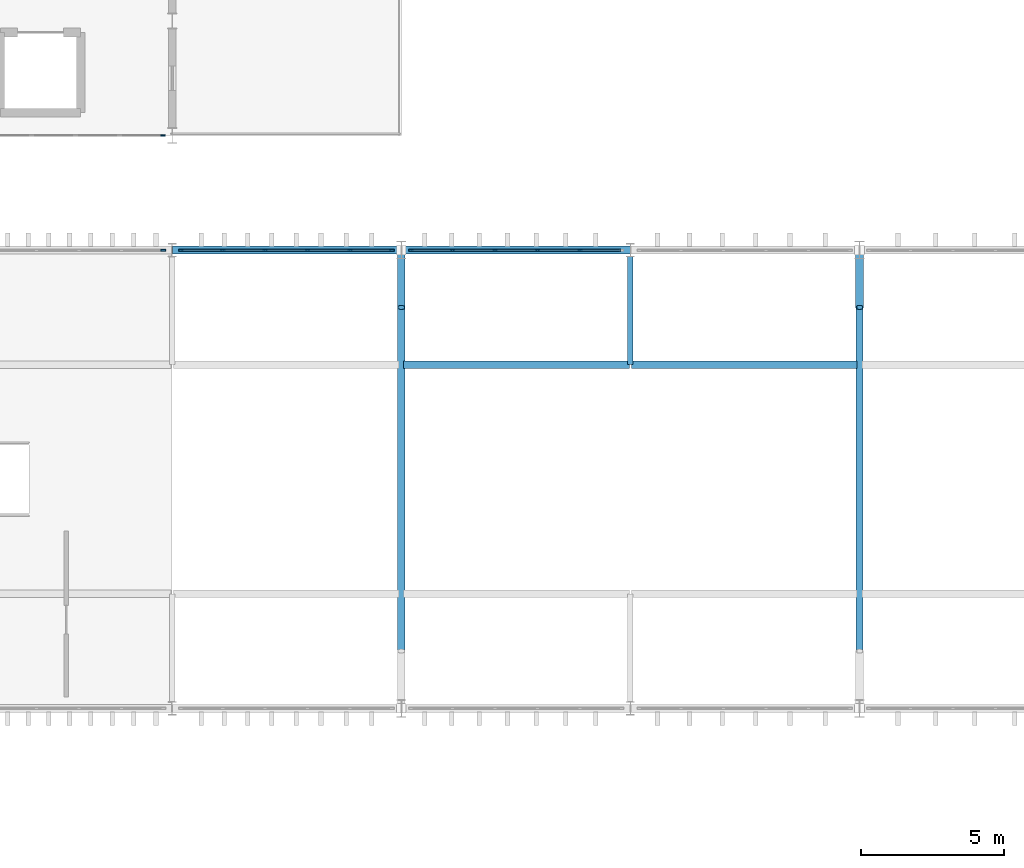
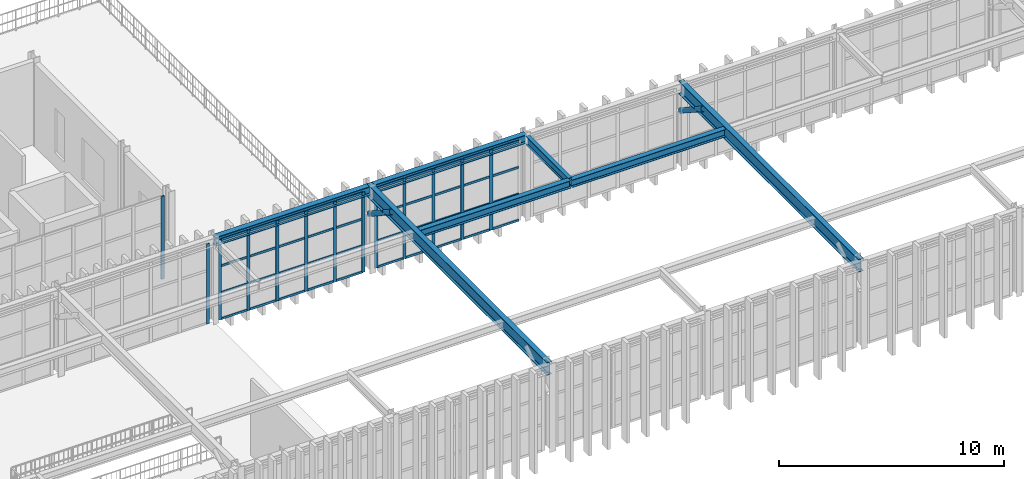
# One storey, part 28 of 61: 55 members, 7 beams, 4 elements without a shape of their own.
"""IFC4 building model written with IfcOpenShell, lengths in metres."""

from ifc_helpers import new_model, si_unit, direction, frame, origin, origin_2d, place, context, subcontext, project, spatial, rectangle, hollow_circle, i_section, extrude, material, material_profile, profile_set, type_object, element, aggregate, save


model = new_model("IFC4")

# Units and contexts
model_context = context("Model", 3, precision=1e-05, world=origin(), true_north=direction((0.0, 1.0)))
body_context = subcontext(model_context, "Body", "Model", "MODEL_VIEW")
ifc_project = project(units=[si_unit("LENGTHUNIT", "METRE"), si_unit("AREAUNIT", "SQUARE_METRE"), si_unit("VOLUMEUNIT", "CUBIC_METRE"), si_unit("PLANEANGLEUNIT", "RADIAN"), si_unit("MASSUNIT", "GRAM", prefix="KILO")], contexts=[model_context])

# Site, building, storey
site_placement = place(None, origin())
site = spatial("IfcSite", under=ifc_project, at=site_placement, CompositionType="ELEMENT")
building_placement = place(site_placement, origin())
building = spatial("IfcBuilding", under=site, at=building_placement, Name="Serraluz Foothill Cableway Terminal", CompositionType="ELEMENT")
storey_placement = place(building_placement, frame((0.0, 0.0, 15.0)))
storey = spatial("IfcBuildingStorey", under=building, at=storey_placement, Name="L03", CompositionType="ELEMENT", Elevation=15.0)

# Beams
ifc_material_1 = material(Name="Steel ASTM A992 Grade 50", Category="steel")
ifc_material_profile_1 = material_profile(ifc_material_1, i_section(OverallWidth=0.256103515625, OverallDepth=0.693115234375, WebThickness=0.014404296875, FlangeThickness=0.023681640625, FilletRadius=0.02001953125, at=origin_2d()), Name="W27X114")
ifc_profile_set_1 = profile_set([ifc_material_profile_1], Name="Steel ASTM A992 Grade 50")
beam_type_1 = type_object("IfcBeamType", Name="TYP-BM-W27X114", PredefinedType="BEAM", material=ifc_profile_set_1)
for number, where, z_axis, x_axis, name in (
    (1, (104.0, 56.0, 4.35009765625), (0.0, 1.0, 0.0), (-1.0, 0.0, 0.0), "ROOF TRUSS TR-05 Tie Girder"),
    (2, (120.0, 56.0, 4.35009765625), (0.0, 1.0, 0.0), (-1.0, 0.0, 0.0), "ROOF TRUSS TR-06 Tie Girder"),
):
    element("IfcBeam", number, at=place(storey_placement, frame(where, z_axis=z_axis, x_axis=x_axis)), inside=storey, type_object=beam_type_1, Name=name, PredefinedType="BEAM", context=body_context, shape_type="SweptSolid", body=[
        extrude(i_section(OverallWidth=0.256103515625, OverallDepth=0.693115234375, WebThickness=0.014404296875, FlangeThickness=0.023681640625, FilletRadius=0.02001953125, at=origin_2d()), origin(), (0.0, 0.0, 1.0), 16.0),
    ])

# Curtain wall, member
ifc_material_2 = material(Name="Architectural bronze alloy C28000", Category="aluminium")
curtain_wall_type_1 = type_object("IfcCurtainWallType", Name="TYP-CW-360X380", PredefinedType="NOTDEFINED", material=ifc_material_2)
curtain_wall_1_placement = place(storey_placement, origin())
curtain_wall_1 = element("IfcCurtainWall", 3, at=curtain_wall_1_placement, inside=storey, type_object=curtain_wall_type_1, Name="Ribbed Glazed Curtain Wall CW-V1N-L03-88", PredefinedType="NOTDEFINED")
ifc_material_profile_2 = material_profile(ifc_material_2, rectangle(XDim=0.06005859375, YDim=0.159912109375, at=origin_2d()), Name="ALU MULLION 60x160")
ifc_profile_set_2 = profile_set([ifc_material_profile_2], Name="Architectural bronze alloy C28000")
member_type_1 = type_object("IfcMemberType", Name="TYP-CW-MUL-60X160", PredefinedType="MULLION", material=ifc_profile_set_2)
member_1_placement = place(storey_placement, frame((95.6884765625, 72.0, 0.0), z_axis=(0.0, 0.0, 1.0), x_axis=(0.0, 1.0, 0.0)))
member_1 = element("IfcMember", 4, at=member_1_placement, type_object=member_type_1, Name="CW-18 mullion 6", PredefinedType="MULLION", context=body_context, shape_type="SweptSolid", body=[
    extrude(rectangle(XDim=0.06005859375, YDim=0.159912109375, at=origin_2d()), origin(), (0.0, 0.0, 1.0), 4.35009765625),
])
aggregate(curtain_wall_1, [member_1])

# Curtain wall, members
curtain_wall_type_2 = type_object("IfcCurtainWallType", Name="TYP-CW-880X420", PredefinedType="NOTDEFINED", material=ifc_material_2)
curtain_wall_2_placement = place(storey_placement, origin())
curtain_wall_2 = element("IfcCurtainWall", 5, at=curtain_wall_2_placement, inside=storey, type_object=curtain_wall_type_2, Name="Ribbed Glazed Curtain Wall CW-V1N-L03-96", PredefinedType="NOTDEFINED")
member_2_placement = place(storey_placement, frame((96.3115234375, 72.0, 0.0), z_axis=(0.0, 0.0, 1.0), x_axis=(0.0, 1.0, 0.0)))
member_2 = element("IfcMember", 6, at=member_2_placement, type_object=member_type_1, Name="CW-19 mullion 1", PredefinedType="MULLION", context=body_context, shape_type="SweptSolid", body=[
    extrude(rectangle(XDim=0.06005859375, YDim=0.159912109375, at=origin_2d()), origin(), (0.0, 0.0, 1.0), 4.35009765625),
])
member_3_placement = place(storey_placement, frame((97.7646484375, 72.0, 0.0), z_axis=(0.0, 0.0, 1.0), x_axis=(0.0, 1.0, 0.0)))
member_3 = element("IfcMember", 7, at=member_3_placement, type_object=member_type_1, Name="CW-19 mullion 2", PredefinedType="MULLION", context=body_context, shape_type="SweptSolid", body=[
    extrude(rectangle(XDim=0.06005859375, YDim=0.159912109375, at=origin_2d()), origin(), (0.0, 0.0, 1.0), 4.35009765625),
])
member_4_placement = place(storey_placement, frame((99.247802734375, 72.0, 0.0), z_axis=(0.0, 0.0, 1.0), x_axis=(0.0, 1.0, 0.0)))
member_4 = element("IfcMember", 8, at=member_4_placement, type_object=member_type_1, Name="CW-19 mullion 3", PredefinedType="MULLION", context=body_context, shape_type="SweptSolid", body=[
    extrude(rectangle(XDim=0.06005859375, YDim=0.159912109375, at=origin_2d()), origin(), (0.0, 0.0, 1.0), 4.35009765625),
])
member_5_placement = place(storey_placement, frame((100.731201171875, 72.0, 0.0), z_axis=(0.0, 0.0, 1.0), x_axis=(0.0, 1.0, 0.0)))
member_5 = element("IfcMember", 9, at=member_5_placement, type_object=member_type_1, Name="CW-19 mullion 4", PredefinedType="MULLION", context=body_context, shape_type="SweptSolid", body=[
    extrude(rectangle(XDim=0.06005859375, YDim=0.159912109375, at=origin_2d()), origin(), (0.0, 0.0, 1.0), 4.35009765625),
])
member_6_placement = place(storey_placement, frame((102.21435546875, 72.0, 0.0), z_axis=(0.0, 0.0, 1.0), x_axis=(0.0, 1.0, 0.0)))
member_6 = element("IfcMember", 10, at=member_6_placement, type_object=member_type_1, Name="CW-19 mullion 5", PredefinedType="MULLION", context=body_context, shape_type="SweptSolid", body=[
    extrude(rectangle(XDim=0.06005859375, YDim=0.159912109375, at=origin_2d()), origin(), (0.0, 0.0, 1.0), 4.35009765625),
])
member_7_placement = place(storey_placement, frame((103.66748046875, 72.0, 0.0), z_axis=(0.0, 0.0, 1.0), x_axis=(0.0, 1.0, 0.0)))
member_7 = element("IfcMember", 11, at=member_7_placement, type_object=member_type_1, Name="CW-19 mullion 6", PredefinedType="MULLION", context=body_context, shape_type="SweptSolid", body=[
    extrude(rectangle(XDim=0.06005859375, YDim=0.159912109375, at=origin_2d()), origin(), (0.0, 0.0, 1.0), 4.35009765625),
])

curtain_wall_type_3 = type_object("IfcCurtainWallType", Name="TYP-CW-920X440", PredefinedType="NOTDEFINED", material=ifc_material_2)
curtain_wall_3_placement = place(storey_placement, origin())
curtain_wall_3 = element("IfcCurtainWall", 12, at=curtain_wall_3_placement, inside=storey, type_object=curtain_wall_type_3, Name="Ribbed Glazed Curtain Wall CW-V1N-L03-104", PredefinedType="NOTDEFINED")
member_8_placement = place(storey_placement, frame((104.33251953125, 72.0, 0.0), z_axis=(0.0, 0.0, 1.0), x_axis=(0.0, 1.0, 0.0)))
member_8 = element("IfcMember", 13, at=member_8_placement, type_object=member_type_1, Name="CW-20 mullion 1", PredefinedType="MULLION", context=body_context, shape_type="SweptSolid", body=[
    extrude(rectangle(XDim=0.06005859375, YDim=0.159912109375, at=origin_2d()), origin(), (0.0, 0.0, 1.0), 4.35009765625),
])
member_9_placement = place(storey_placement, frame((105.78564453125, 72.0, 0.0), z_axis=(0.0, 0.0, 1.0), x_axis=(0.0, 1.0, 0.0)))
member_9 = element("IfcMember", 14, at=member_9_placement, type_object=member_type_1, Name="CW-20 mullion 2", PredefinedType="MULLION", context=body_context, shape_type="SweptSolid", body=[
    extrude(rectangle(XDim=0.06005859375, YDim=0.159912109375, at=origin_2d()), origin(), (0.0, 0.0, 1.0), 4.35009765625),
])
member_10_placement = place(storey_placement, frame((107.268798828125, 72.0, 0.0), z_axis=(0.0, 0.0, 1.0), x_axis=(0.0, 1.0, 0.0)))
member_10 = element("IfcMember", 15, at=member_10_placement, type_object=member_type_1, Name="CW-20 mullion 3", PredefinedType="MULLION", context=body_context, shape_type="SweptSolid", body=[
    extrude(rectangle(XDim=0.06005859375, YDim=0.159912109375, at=origin_2d()), origin(), (0.0, 0.0, 1.0), 4.35009765625),
])
member_11_placement = place(storey_placement, frame((108.752197265625, 72.0, 0.0), z_axis=(0.0, 0.0, 1.0), x_axis=(0.0, 1.0, 0.0)))
member_11 = element("IfcMember", 16, at=member_11_placement, type_object=member_type_1, Name="CW-20 mullion 4", PredefinedType="MULLION", context=body_context, shape_type="SweptSolid", body=[
    extrude(rectangle(XDim=0.06005859375, YDim=0.159912109375, at=origin_2d()), origin(), (0.0, 0.0, 1.0), 4.35009765625),
])
member_12_placement = place(storey_placement, frame((110.2353515625, 72.0, 0.0), z_axis=(0.0, 0.0, 1.0), x_axis=(0.0, 1.0, 0.0)))
member_12 = element("IfcMember", 17, at=member_12_placement, type_object=member_type_1, Name="CW-20 mullion 5", PredefinedType="MULLION", context=body_context, shape_type="SweptSolid", body=[
    extrude(rectangle(XDim=0.06005859375, YDim=0.159912109375, at=origin_2d()), origin(), (0.0, 0.0, 1.0), 4.35009765625),
])

# Curtain wall, member
curtain_wall_type_4 = type_object("IfcCurtainWallType", Name="TYP-CW-640X440", PredefinedType="NOTDEFINED", material=ifc_material_2)
curtain_wall_4_placement = place(storey_placement, origin())
curtain_wall_4 = element("IfcCurtainWall", 18, at=curtain_wall_4_placement, inside=storey, type_object=curtain_wall_type_4, Name="Ribbed Glazed Curtain Wall CW-V4S-L03-80", PredefinedType="NOTDEFINED")
member_13_placement = place(storey_placement, frame((95.674072265625, 76.0, 0.0), z_axis=(0.0, 0.0, 1.0), x_axis=(0.0, -1.0, 0.0)))
member_13 = element("IfcMember", 19, at=member_13_placement, type_object=member_type_1, Name="CW-12 mullion 1", PredefinedType="MULLION", context=body_context, shape_type="SweptSolid", body=[
    extrude(rectangle(XDim=0.06005859375, YDim=0.159912109375, at=origin_2d()), origin(), (0.0, 0.0, 1.0), 4.5),
])
aggregate(curtain_wall_4, [member_13])

# Member
ifc_material_profile_3 = material_profile(ifc_material_2, rectangle(XDim=0.06005859375, YDim=0.1201171875, at=origin_2d()), Name="ALU TRANSOM 60x120")
ifc_profile_set_3 = profile_set([ifc_material_profile_3], Name="Architectural bronze alloy C28000")
member_type_2 = type_object("IfcMemberType", Name="TYP-CW-TRN-60X120", PredefinedType="USERDEFINED", material=ifc_profile_set_3)
member_14_placement = place(storey_placement, frame((96.341552734375, 72.0, 0.030029296875), z_axis=(1.0, 0.0, 0.0), x_axis=(0.0, 1.0, 0.0)))
member_14 = element("IfcMember", 20, at=member_14_placement, type_object=member_type_2, Name="CW-19 transom 1.1", ObjectType="TRANSOM", PredefinedType="USERDEFINED", context=body_context, shape_type="SweptSolid", body=[
    extrude(rectangle(XDim=0.06005859375, YDim=0.1201171875, at=origin_2d()), origin(), (0.0, 0.0, 1.0), 1.39306640625),
])

member_15_placement = place(storey_placement, frame((96.341552734375, 72.0, 1.449951171875), z_axis=(1.0, 0.0, 0.0), x_axis=(0.0, 1.0, 0.0)))
member_15 = element("IfcMember", 21, at=member_15_placement, type_object=member_type_2, Name="CW-19 transom 1.2", ObjectType="TRANSOM", PredefinedType="USERDEFINED", context=body_context, shape_type="SweptSolid", body=[
    extrude(rectangle(XDim=0.06005859375, YDim=0.1201171875, at=origin_2d()), origin(), (0.0, 0.0, 1.0), 1.39306640625),
])

member_16_placement = place(storey_placement, frame((96.341552734375, 72.0, 2.89990234375), z_axis=(1.0, 0.0, 0.0), x_axis=(0.0, 1.0, 0.0)))
member_16 = element("IfcMember", 22, at=member_16_placement, type_object=member_type_2, Name="CW-19 transom 1.3", ObjectType="TRANSOM", PredefinedType="USERDEFINED", context=body_context, shape_type="SweptSolid", body=[
    extrude(rectangle(XDim=0.06005859375, YDim=0.1201171875, at=origin_2d()), origin(), (0.0, 0.0, 1.0), 1.39306640625),
])

member_17_placement = place(storey_placement, frame((96.341552734375, 72.0, 4.320068359375), z_axis=(1.0, 0.0, 0.0), x_axis=(0.0, 1.0, 0.0)))
member_17 = element("IfcMember", 23, at=member_17_placement, type_object=member_type_2, Name="CW-19 transom 1.4", ObjectType="TRANSOM", PredefinedType="USERDEFINED", context=body_context, shape_type="SweptSolid", body=[
    extrude(rectangle(XDim=0.06005859375, YDim=0.1201171875, at=origin_2d()), origin(), (0.0, 0.0, 1.0), 1.39306640625),
])

member_18_placement = place(storey_placement, frame((97.794677734375, 72.0, 0.030029296875), z_axis=(1.0, 0.0, 0.0), x_axis=(0.0, 1.0, 0.0)))
member_18 = element("IfcMember", 24, at=member_18_placement, type_object=member_type_2, Name="CW-19 transom 2.1", ObjectType="TRANSOM", PredefinedType="USERDEFINED", context=body_context, shape_type="SweptSolid", body=[
    extrude(rectangle(XDim=0.06005859375, YDim=0.1201171875, at=origin_2d()), origin(), (0.0, 0.0, 1.0), 1.42333984375),
])

member_19_placement = place(storey_placement, frame((97.794677734375, 72.0, 1.449951171875), z_axis=(1.0, 0.0, 0.0), x_axis=(0.0, 1.0, 0.0)))
member_19 = element("IfcMember", 25, at=member_19_placement, type_object=member_type_2, Name="CW-19 transom 2.2", ObjectType="TRANSOM", PredefinedType="USERDEFINED", context=body_context, shape_type="SweptSolid", body=[
    extrude(rectangle(XDim=0.06005859375, YDim=0.1201171875, at=origin_2d()), origin(), (0.0, 0.0, 1.0), 1.42333984375),
])

member_20_placement = place(storey_placement, frame((97.794677734375, 72.0, 2.89990234375), z_axis=(1.0, 0.0, 0.0), x_axis=(0.0, 1.0, 0.0)))
member_20 = element("IfcMember", 26, at=member_20_placement, type_object=member_type_2, Name="CW-19 transom 2.3", ObjectType="TRANSOM", PredefinedType="USERDEFINED", context=body_context, shape_type="SweptSolid", body=[
    extrude(rectangle(XDim=0.06005859375, YDim=0.1201171875, at=origin_2d()), origin(), (0.0, 0.0, 1.0), 1.42333984375),
])

member_21_placement = place(storey_placement, frame((97.794677734375, 72.0, 4.320068359375), z_axis=(1.0, 0.0, 0.0), x_axis=(0.0, 1.0, 0.0)))
member_21 = element("IfcMember", 27, at=member_21_placement, type_object=member_type_2, Name="CW-19 transom 2.4", ObjectType="TRANSOM", PredefinedType="USERDEFINED", context=body_context, shape_type="SweptSolid", body=[
    extrude(rectangle(XDim=0.06005859375, YDim=0.1201171875, at=origin_2d()), origin(), (0.0, 0.0, 1.0), 1.42333984375),
])

member_22_placement = place(storey_placement, frame((99.27783203125, 72.0, 0.030029296875), z_axis=(1.0, 0.0, 0.0), x_axis=(0.0, 1.0, 0.0)))
member_22 = element("IfcMember", 28, at=member_22_placement, type_object=member_type_2, Name="CW-19 transom 3.1", ObjectType="TRANSOM", PredefinedType="USERDEFINED", context=body_context, shape_type="SweptSolid", body=[
    extrude(rectangle(XDim=0.06005859375, YDim=0.1201171875, at=origin_2d()), origin(), (0.0, 0.0, 1.0), 1.42333984375),
])

member_23_placement = place(storey_placement, frame((99.27783203125, 72.0, 1.449951171875), z_axis=(1.0, 0.0, 0.0), x_axis=(0.0, 1.0, 0.0)))
member_23 = element("IfcMember", 29, at=member_23_placement, type_object=member_type_2, Name="CW-19 transom 3.2", ObjectType="TRANSOM", PredefinedType="USERDEFINED", context=body_context, shape_type="SweptSolid", body=[
    extrude(rectangle(XDim=0.06005859375, YDim=0.1201171875, at=origin_2d()), origin(), (0.0, 0.0, 1.0), 1.42333984375),
])

member_24_placement = place(storey_placement, frame((99.27783203125, 72.0, 2.89990234375), z_axis=(1.0, 0.0, 0.0), x_axis=(0.0, 1.0, 0.0)))
member_24 = element("IfcMember", 30, at=member_24_placement, type_object=member_type_2, Name="CW-19 transom 3.3", ObjectType="TRANSOM", PredefinedType="USERDEFINED", context=body_context, shape_type="SweptSolid", body=[
    extrude(rectangle(XDim=0.06005859375, YDim=0.1201171875, at=origin_2d()), origin(), (0.0, 0.0, 1.0), 1.42333984375),
])

member_25_placement = place(storey_placement, frame((99.27783203125, 72.0, 4.320068359375), z_axis=(1.0, 0.0, 0.0), x_axis=(0.0, 1.0, 0.0)))
member_25 = element("IfcMember", 31, at=member_25_placement, type_object=member_type_2, Name="CW-19 transom 3.4", ObjectType="TRANSOM", PredefinedType="USERDEFINED", context=body_context, shape_type="SweptSolid", body=[
    extrude(rectangle(XDim=0.06005859375, YDim=0.1201171875, at=origin_2d()), origin(), (0.0, 0.0, 1.0), 1.42333984375),
])

member_26_placement = place(storey_placement, frame((100.760986328125, 72.0, 0.030029296875), z_axis=(1.0, 0.0, 0.0), x_axis=(0.0, 1.0, 0.0)))
member_26 = element("IfcMember", 32, at=member_26_placement, type_object=member_type_2, Name="CW-19 transom 4.1", ObjectType="TRANSOM", PredefinedType="USERDEFINED", context=body_context, shape_type="SweptSolid", body=[
    extrude(rectangle(XDim=0.06005859375, YDim=0.1201171875, at=origin_2d()), origin(), (0.0, 0.0, 1.0), 1.42333984375),
])

member_27_placement = place(storey_placement, frame((100.760986328125, 72.0, 1.449951171875), z_axis=(1.0, 0.0, 0.0), x_axis=(0.0, 1.0, 0.0)))
member_27 = element("IfcMember", 33, at=member_27_placement, type_object=member_type_2, Name="CW-19 transom 4.2", ObjectType="TRANSOM", PredefinedType="USERDEFINED", context=body_context, shape_type="SweptSolid", body=[
    extrude(rectangle(XDim=0.06005859375, YDim=0.1201171875, at=origin_2d()), origin(), (0.0, 0.0, 1.0), 1.42333984375),
])

member_28_placement = place(storey_placement, frame((100.760986328125, 72.0, 2.89990234375), z_axis=(1.0, 0.0, 0.0), x_axis=(0.0, 1.0, 0.0)))
member_28 = element("IfcMember", 34, at=member_28_placement, type_object=member_type_2, Name="CW-19 transom 4.3", ObjectType="TRANSOM", PredefinedType="USERDEFINED", context=body_context, shape_type="SweptSolid", body=[
    extrude(rectangle(XDim=0.06005859375, YDim=0.1201171875, at=origin_2d()), origin(), (0.0, 0.0, 1.0), 1.42333984375),
])

member_29_placement = place(storey_placement, frame((100.760986328125, 72.0, 4.320068359375), z_axis=(1.0, 0.0, 0.0), x_axis=(0.0, 1.0, 0.0)))
member_29 = element("IfcMember", 35, at=member_29_placement, type_object=member_type_2, Name="CW-19 transom 4.4", ObjectType="TRANSOM", PredefinedType="USERDEFINED", context=body_context, shape_type="SweptSolid", body=[
    extrude(rectangle(XDim=0.06005859375, YDim=0.1201171875, at=origin_2d()), origin(), (0.0, 0.0, 1.0), 1.42333984375),
])

member_30_placement = place(storey_placement, frame((102.244384765625, 72.0, 0.030029296875), z_axis=(1.0, 0.0, 0.0), x_axis=(0.0, 1.0, 0.0)))
member_30 = element("IfcMember", 36, at=member_30_placement, type_object=member_type_2, Name="CW-19 transom 5.1", ObjectType="TRANSOM", PredefinedType="USERDEFINED", context=body_context, shape_type="SweptSolid", body=[
    extrude(rectangle(XDim=0.06005859375, YDim=0.1201171875, at=origin_2d()), origin(), (0.0, 0.0, 1.0), 1.39306640625),
])

member_31_placement = place(storey_placement, frame((102.244384765625, 72.0, 1.449951171875), z_axis=(1.0, 0.0, 0.0), x_axis=(0.0, 1.0, 0.0)))
member_31 = element("IfcMember", 37, at=member_31_placement, type_object=member_type_2, Name="CW-19 transom 5.2", ObjectType="TRANSOM", PredefinedType="USERDEFINED", context=body_context, shape_type="SweptSolid", body=[
    extrude(rectangle(XDim=0.06005859375, YDim=0.1201171875, at=origin_2d()), origin(), (0.0, 0.0, 1.0), 1.39306640625),
])

member_32_placement = place(storey_placement, frame((102.244384765625, 72.0, 2.89990234375), z_axis=(1.0, 0.0, 0.0), x_axis=(0.0, 1.0, 0.0)))
member_32 = element("IfcMember", 38, at=member_32_placement, type_object=member_type_2, Name="CW-19 transom 5.3", ObjectType="TRANSOM", PredefinedType="USERDEFINED", context=body_context, shape_type="SweptSolid", body=[
    extrude(rectangle(XDim=0.06005859375, YDim=0.1201171875, at=origin_2d()), origin(), (0.0, 0.0, 1.0), 1.39306640625),
])

member_33_placement = place(storey_placement, frame((102.244384765625, 72.0, 4.320068359375), z_axis=(1.0, 0.0, 0.0), x_axis=(0.0, 1.0, 0.0)))
member_33 = element("IfcMember", 39, at=member_33_placement, type_object=member_type_2, Name="CW-19 transom 5.4", ObjectType="TRANSOM", PredefinedType="USERDEFINED", context=body_context, shape_type="SweptSolid", body=[
    extrude(rectangle(XDim=0.06005859375, YDim=0.1201171875, at=origin_2d()), origin(), (0.0, 0.0, 1.0), 1.39306640625),
])

aggregate(curtain_wall_2, [member_2, member_3, member_4, member_5, member_6, member_7, member_14, member_15, member_16, member_17, member_18, member_19, member_20, member_21, member_22, member_23, member_24, member_25, member_26, member_27, member_28, member_29, member_30, member_31, member_32, member_33])

member_34_placement = place(storey_placement, frame((104.362548828125, 72.0, 0.030029296875), z_axis=(1.0, 0.0, 0.0), x_axis=(0.0, 1.0, 0.0)))
member_34 = element("IfcMember", 40, at=member_34_placement, type_object=member_type_2, Name="CW-20 transom 1.1", ObjectType="TRANSOM", PredefinedType="USERDEFINED", context=body_context, shape_type="SweptSolid", body=[
    extrude(rectangle(XDim=0.06005859375, YDim=0.1201171875, at=origin_2d()), origin(), (0.0, 0.0, 1.0), 1.39306640625),
])

member_35_placement = place(storey_placement, frame((104.362548828125, 72.0, 1.449951171875), z_axis=(1.0, 0.0, 0.0), x_axis=(0.0, 1.0, 0.0)))
member_35 = element("IfcMember", 41, at=member_35_placement, type_object=member_type_2, Name="CW-20 transom 1.2", ObjectType="TRANSOM", PredefinedType="USERDEFINED", context=body_context, shape_type="SweptSolid", body=[
    extrude(rectangle(XDim=0.06005859375, YDim=0.1201171875, at=origin_2d()), origin(), (0.0, 0.0, 1.0), 1.39306640625),
])

member_36_placement = place(storey_placement, frame((104.362548828125, 72.0, 2.89990234375), z_axis=(1.0, 0.0, 0.0), x_axis=(0.0, 1.0, 0.0)))
member_36 = element("IfcMember", 42, at=member_36_placement, type_object=member_type_2, Name="CW-20 transom 1.3", ObjectType="TRANSOM", PredefinedType="USERDEFINED", context=body_context, shape_type="SweptSolid", body=[
    extrude(rectangle(XDim=0.06005859375, YDim=0.1201171875, at=origin_2d()), origin(), (0.0, 0.0, 1.0), 1.39306640625),
])

member_37_placement = place(storey_placement, frame((104.362548828125, 72.0, 4.320068359375), z_axis=(1.0, 0.0, 0.0), x_axis=(0.0, 1.0, 0.0)))
member_37 = element("IfcMember", 43, at=member_37_placement, type_object=member_type_2, Name="CW-20 transom 1.4", ObjectType="TRANSOM", PredefinedType="USERDEFINED", context=body_context, shape_type="SweptSolid", body=[
    extrude(rectangle(XDim=0.06005859375, YDim=0.1201171875, at=origin_2d()), origin(), (0.0, 0.0, 1.0), 1.39306640625),
])

member_38_placement = place(storey_placement, frame((105.815673828125, 72.0, 0.030029296875), z_axis=(1.0, 0.0, 0.0), x_axis=(0.0, 1.0, 0.0)))
member_38 = element("IfcMember", 44, at=member_38_placement, type_object=member_type_2, Name="CW-20 transom 2.1", ObjectType="TRANSOM", PredefinedType="USERDEFINED", context=body_context, shape_type="SweptSolid", body=[
    extrude(rectangle(XDim=0.06005859375, YDim=0.1201171875, at=origin_2d()), origin(), (0.0, 0.0, 1.0), 1.42333984375),
])

member_39_placement = place(storey_placement, frame((105.815673828125, 72.0, 1.449951171875), z_axis=(1.0, 0.0, 0.0), x_axis=(0.0, 1.0, 0.0)))
member_39 = element("IfcMember", 45, at=member_39_placement, type_object=member_type_2, Name="CW-20 transom 2.2", ObjectType="TRANSOM", PredefinedType="USERDEFINED", context=body_context, shape_type="SweptSolid", body=[
    extrude(rectangle(XDim=0.06005859375, YDim=0.1201171875, at=origin_2d()), origin(), (0.0, 0.0, 1.0), 1.42333984375),
])

member_40_placement = place(storey_placement, frame((105.815673828125, 72.0, 2.89990234375), z_axis=(1.0, 0.0, 0.0), x_axis=(0.0, 1.0, 0.0)))
member_40 = element("IfcMember", 46, at=member_40_placement, type_object=member_type_2, Name="CW-20 transom 2.3", ObjectType="TRANSOM", PredefinedType="USERDEFINED", context=body_context, shape_type="SweptSolid", body=[
    extrude(rectangle(XDim=0.06005859375, YDim=0.1201171875, at=origin_2d()), origin(), (0.0, 0.0, 1.0), 1.42333984375),
])

member_41_placement = place(storey_placement, frame((105.815673828125, 72.0, 4.320068359375), z_axis=(1.0, 0.0, 0.0), x_axis=(0.0, 1.0, 0.0)))
member_41 = element("IfcMember", 47, at=member_41_placement, type_object=member_type_2, Name="CW-20 transom 2.4", ObjectType="TRANSOM", PredefinedType="USERDEFINED", context=body_context, shape_type="SweptSolid", body=[
    extrude(rectangle(XDim=0.06005859375, YDim=0.1201171875, at=origin_2d()), origin(), (0.0, 0.0, 1.0), 1.42333984375),
])

member_42_placement = place(storey_placement, frame((107.298828125, 72.0, 0.030029296875), z_axis=(1.0, 0.0, 0.0), x_axis=(0.0, 1.0, 0.0)))
member_42 = element("IfcMember", 48, at=member_42_placement, type_object=member_type_2, Name="CW-20 transom 3.1", ObjectType="TRANSOM", PredefinedType="USERDEFINED", context=body_context, shape_type="SweptSolid", body=[
    extrude(rectangle(XDim=0.06005859375, YDim=0.1201171875, at=origin_2d()), origin(), (0.0, 0.0, 1.0), 1.42333984375),
])

member_43_placement = place(storey_placement, frame((107.298828125, 72.0, 1.449951171875), z_axis=(1.0, 0.0, 0.0), x_axis=(0.0, 1.0, 0.0)))
member_43 = element("IfcMember", 49, at=member_43_placement, type_object=member_type_2, Name="CW-20 transom 3.2", ObjectType="TRANSOM", PredefinedType="USERDEFINED", context=body_context, shape_type="SweptSolid", body=[
    extrude(rectangle(XDim=0.06005859375, YDim=0.1201171875, at=origin_2d()), origin(), (0.0, 0.0, 1.0), 1.42333984375),
])

member_44_placement = place(storey_placement, frame((107.298828125, 72.0, 2.89990234375), z_axis=(1.0, 0.0, 0.0), x_axis=(0.0, 1.0, 0.0)))
member_44 = element("IfcMember", 50, at=member_44_placement, type_object=member_type_2, Name="CW-20 transom 3.3", ObjectType="TRANSOM", PredefinedType="USERDEFINED", context=body_context, shape_type="SweptSolid", body=[
    extrude(rectangle(XDim=0.06005859375, YDim=0.1201171875, at=origin_2d()), origin(), (0.0, 0.0, 1.0), 1.42333984375),
])

member_45_placement = place(storey_placement, frame((107.298828125, 72.0, 4.320068359375), z_axis=(1.0, 0.0, 0.0), x_axis=(0.0, 1.0, 0.0)))
member_45 = element("IfcMember", 51, at=member_45_placement, type_object=member_type_2, Name="CW-20 transom 3.4", ObjectType="TRANSOM", PredefinedType="USERDEFINED", context=body_context, shape_type="SweptSolid", body=[
    extrude(rectangle(XDim=0.06005859375, YDim=0.1201171875, at=origin_2d()), origin(), (0.0, 0.0, 1.0), 1.42333984375),
])

member_46_placement = place(storey_placement, frame((108.781982421875, 72.0, 0.030029296875), z_axis=(1.0, 0.0, 0.0), x_axis=(0.0, 1.0, 0.0)))
member_46 = element("IfcMember", 52, at=member_46_placement, type_object=member_type_2, Name="CW-20 transom 4.1", ObjectType="TRANSOM", PredefinedType="USERDEFINED", context=body_context, shape_type="SweptSolid", body=[
    extrude(rectangle(XDim=0.06005859375, YDim=0.1201171875, at=origin_2d()), origin(), (0.0, 0.0, 1.0), 1.42333984375),
])

member_47_placement = place(storey_placement, frame((108.781982421875, 72.0, 1.449951171875), z_axis=(1.0, 0.0, 0.0), x_axis=(0.0, 1.0, 0.0)))
member_47 = element("IfcMember", 53, at=member_47_placement, type_object=member_type_2, Name="CW-20 transom 4.2", ObjectType="TRANSOM", PredefinedType="USERDEFINED", context=body_context, shape_type="SweptSolid", body=[
    extrude(rectangle(XDim=0.06005859375, YDim=0.1201171875, at=origin_2d()), origin(), (0.0, 0.0, 1.0), 1.42333984375),
])

member_48_placement = place(storey_placement, frame((108.781982421875, 72.0, 2.89990234375), z_axis=(1.0, 0.0, 0.0), x_axis=(0.0, 1.0, 0.0)))
member_48 = element("IfcMember", 54, at=member_48_placement, type_object=member_type_2, Name="CW-20 transom 4.3", ObjectType="TRANSOM", PredefinedType="USERDEFINED", context=body_context, shape_type="SweptSolid", body=[
    extrude(rectangle(XDim=0.06005859375, YDim=0.1201171875, at=origin_2d()), origin(), (0.0, 0.0, 1.0), 1.42333984375),
])

member_49_placement = place(storey_placement, frame((108.781982421875, 72.0, 4.320068359375), z_axis=(1.0, 0.0, 0.0), x_axis=(0.0, 1.0, 0.0)))
member_49 = element("IfcMember", 55, at=member_49_placement, type_object=member_type_2, Name="CW-20 transom 4.4", ObjectType="TRANSOM", PredefinedType="USERDEFINED", context=body_context, shape_type="SweptSolid", body=[
    extrude(rectangle(XDim=0.06005859375, YDim=0.1201171875, at=origin_2d()), origin(), (0.0, 0.0, 1.0), 1.42333984375),
])

member_50_placement = place(storey_placement, frame((110.265380859375, 72.0, 0.030029296875), z_axis=(1.0, 0.0, 0.0), x_axis=(0.0, 1.0, 0.0)))
member_50 = element("IfcMember", 56, at=member_50_placement, type_object=member_type_2, Name="CW-20 transom 5.1", ObjectType="TRANSOM", PredefinedType="USERDEFINED", context=body_context, shape_type="SweptSolid", body=[
    extrude(rectangle(XDim=0.06005859375, YDim=0.1201171875, at=origin_2d()), origin(), (0.0, 0.0, 1.0), 1.39306640625),
])

member_51_placement = place(storey_placement, frame((110.265380859375, 72.0, 1.449951171875), z_axis=(1.0, 0.0, 0.0), x_axis=(0.0, 1.0, 0.0)))
member_51 = element("IfcMember", 57, at=member_51_placement, type_object=member_type_2, Name="CW-20 transom 5.2", ObjectType="TRANSOM", PredefinedType="USERDEFINED", context=body_context, shape_type="SweptSolid", body=[
    extrude(rectangle(XDim=0.06005859375, YDim=0.1201171875, at=origin_2d()), origin(), (0.0, 0.0, 1.0), 1.39306640625),
])

member_52_placement = place(storey_placement, frame((110.265380859375, 72.0, 2.89990234375), z_axis=(1.0, 0.0, 0.0), x_axis=(0.0, 1.0, 0.0)))
member_52 = element("IfcMember", 58, at=member_52_placement, type_object=member_type_2, Name="CW-20 transom 5.3", ObjectType="TRANSOM", PredefinedType="USERDEFINED", context=body_context, shape_type="SweptSolid", body=[
    extrude(rectangle(XDim=0.06005859375, YDim=0.1201171875, at=origin_2d()), origin(), (0.0, 0.0, 1.0), 1.39306640625),
])

member_53_placement = place(storey_placement, frame((110.265380859375, 72.0, 4.320068359375), z_axis=(1.0, 0.0, 0.0), x_axis=(0.0, 1.0, 0.0)))
member_53 = element("IfcMember", 59, at=member_53_placement, type_object=member_type_2, Name="CW-20 transom 5.4", ObjectType="TRANSOM", PredefinedType="USERDEFINED", context=body_context, shape_type="SweptSolid", body=[
    extrude(rectangle(XDim=0.06005859375, YDim=0.1201171875, at=origin_2d()), origin(), (0.0, 0.0, 1.0), 1.39306640625),
])

aggregate(curtain_wall_3, [member_8, member_9, member_10, member_11, member_12, member_34, member_35, member_36, member_37, member_38, member_39, member_40, member_41, member_42, member_43, member_44, member_45, member_46, member_47, member_48, member_49, member_50, member_51, member_52, member_53])

# Beams
ifc_material_profile_4 = material_profile(ifc_material_1, i_section(OverallWidth=0.260009765625, OverallDepth=0.4189453125, WebThickness=0.01171875, FlangeThickness=0.019287109375, FilletRadius=0.013916015625, at=origin_2d()), Name="W16X77")
ifc_profile_set_4 = profile_set([ifc_material_profile_4], Name="Steel ASTM A992 Grade 50")
beam_type_2 = type_object("IfcBeamType", Name="TYP-JS-W16X77", PredefinedType="JOIST", material=ifc_profile_set_4)
for number, where, z_axis, x_axis, name in (
    (60, (104.0849609375, 68.0, 4.35009765625), (1.0, 0.0, 0.0), (0.0, 1.0, 0.0), "Eaves Gallery Support Beam 104-68"),
    (61, (112.0400390625, 68.0, 4.35009765625), (1.0, 0.0, 0.0), (0.0, 1.0, 0.0), "Eaves Gallery Support Beam 112-68"),
):
    element("IfcBeam", number, at=place(storey_placement, frame(where, z_axis=z_axis, x_axis=x_axis)), inside=storey, type_object=beam_type_2, Name=name, PredefinedType="JOIST", context=body_context, shape_type="SweptSolid", body=[
        extrude(i_section(OverallWidth=0.260009765625, OverallDepth=0.4189453125, WebThickness=0.01171875, FlangeThickness=0.019287109375, FilletRadius=0.013916015625, at=origin_2d()), origin(), (0.0, 0.0, 1.0), 7.875),
    ])
ifc_material_profile_5 = material_profile(ifc_material_1, i_section(OverallWidth=0.193115234375, OverallDepth=0.467041015625, WebThickness=0.011474609375, FlangeThickness=0.01904296875, FilletRadius=0.014892578125, at=origin_2d()), Name="W18X65")
ifc_profile_set_5 = profile_set([ifc_material_profile_5], Name="Steel ASTM A992 Grade 50")
beam_type_3 = type_object("IfcBeamType", Name="TYP-JS-W18X65", PredefinedType="JOIST", material=ifc_profile_set_5)
beam_placement = place(storey_placement, frame((112.0, 68.0, 4.3798828125), z_axis=(0.0, 1.0, 0.0), x_axis=(-1.0, 0.0, 0.0)))
element("IfcBeam", 62, at=beam_placement, inside=storey, type_object=beam_type_3, Name="Eaves Gallery Bracket Tie 112-68", PredefinedType="JOIST", context=body_context, shape_type="SweptSolid", body=[
    extrude(i_section(OverallWidth=0.193115234375, OverallDepth=0.467041015625, WebThickness=0.011474609375, FlangeThickness=0.01904296875, FilletRadius=0.014892578125, at=origin_2d()), origin(), (0.0, 0.0, 1.0), 3.800048828125),
])
ifc_material_profile_6 = material_profile(ifc_material_1, i_section(OverallWidth=0.282958984375, OverallDepth=0.471923828125, WebThickness=0.013671875, FlangeThickness=0.022216796875, FilletRadius=0.014892578125, at=origin_2d()), Name="W18X97")
ifc_profile_set_6 = profile_set([ifc_material_profile_6], Name="Steel ASTM A992 Grade 50")
beam_type_4 = type_object("IfcBeamType", Name="TYP-SP-W18X97", PredefinedType="SPANDREL", material=ifc_profile_set_6)
for number, where, z_axis, x_axis, name in (
    (63, (96.0048828125, 72.0, 4.384033203125), (1.0, 0.0, 0.0), (0.0, 1.0, 0.0), "Primary Girder BM-X-L03-0370"),
    (64, (104.0048828125, 72.0, 4.384033203125), (1.0, 0.0, 0.0), (0.0, 1.0, 0.0), "Primary Girder BM-X-L03-0371"),
):
    element("IfcBeam", number, at=place(storey_placement, frame(where, z_axis=z_axis, x_axis=x_axis)), inside=storey, type_object=beam_type_4, Name=name, PredefinedType="SPANDREL", context=body_context, shape_type="SweptSolid", body=[
        extrude(i_section(OverallWidth=0.282958984375, OverallDepth=0.471923828125, WebThickness=0.013671875, FlangeThickness=0.022216796875, FilletRadius=0.014892578125, at=origin_2d()), origin(), (0.0, 0.0, 1.0), 7.990234375),
    ])

# Members
ifc_material_3 = material(Name="Steel ASTM A572 Grade 50", Category="steel")
ifc_material_profile_7 = material_profile(ifc_material_3, hollow_circle(Radius=0.136474609375, WallThickness=0.011962890625, at=origin_2d()), Name="CHS273X12")
ifc_profile_set_7 = profile_set([ifc_material_profile_7], Name="Steel ASTM A572 Grade 50")
member_type_3 = type_object("IfcMemberType", Name="TYP-ST-CHS273", PredefinedType="STRUT", material=ifc_profile_set_7)
for number, where, z_axis, x_axis, name in (
    (65, (104.0, 72.0, 3.050048828125), (0.0, -0.838434262763, 0.545002740383), (1.0, 0.0, 0.0), "Portal Knee Strut STRUT-TR-05-N"),
    (66, (120.0, 72.0, 3.050048828125), (0.0, -0.838434262763, 0.545002740383), (1.0, 0.0, 0.0), "Portal Knee Strut STRUT-TR-06-N"),
):
    element("IfcMember", number, at=place(storey_placement, frame(where, z_axis=z_axis, x_axis=x_axis)), inside=storey, type_object=member_type_3, Name=name, PredefinedType="STRUT", context=body_context, shape_type="SweptSolid", body=[
        extrude(hollow_circle(Radius=0.136474609375, WallThickness=0.011962890625, at=origin_2d()), origin(), (0.0, 0.0, 1.0), 2.385498046875),
    ])

save(model, "model.ifc")
